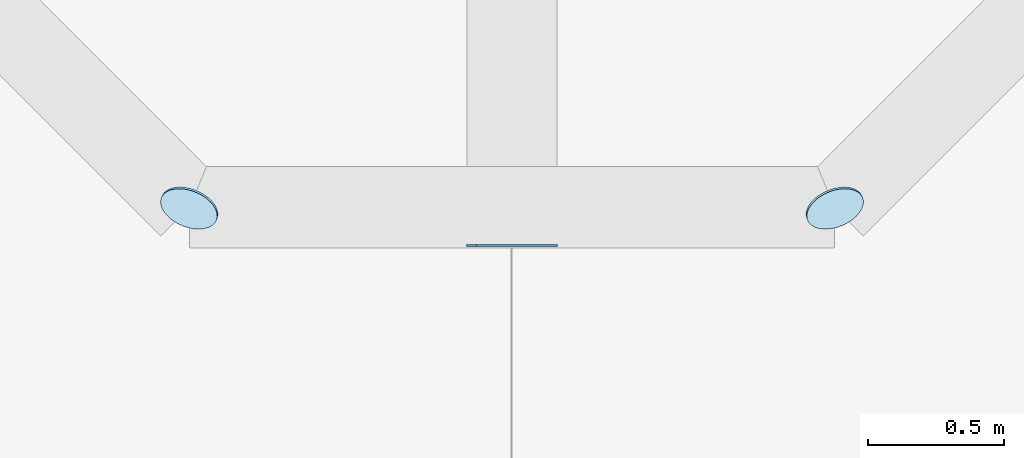
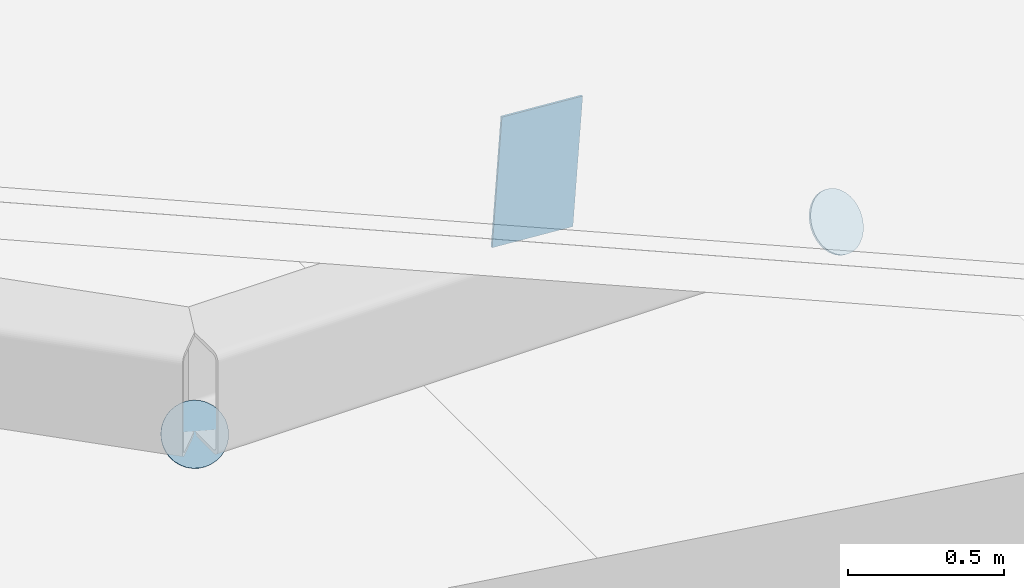
# One storey, part 57 of 95: 3 plates.
"""IFC4 building model written with IfcOpenShell, lengths in metres."""

from ifc_helpers import new_model, si_unit, direction, frame, origin, origin_2d, place, context, subcontext, project, spatial, rectangle, circle, extrude, material, material_profile, profile_set, type_object, element, save


model = new_model("IFC4")

# Units and contexts
model_context = context("Model", 3, precision=1e-05, world=origin(), true_north=direction((0.0, 1.0)))
body_context = subcontext(model_context, "Body", "Model", "MODEL_VIEW")
ifc_project = project(units=[si_unit("LENGTHUNIT", "METRE"), si_unit("AREAUNIT", "SQUARE_METRE"), si_unit("VOLUMEUNIT", "CUBIC_METRE"), si_unit("PLANEANGLEUNIT", "RADIAN"), si_unit("MASSUNIT", "GRAM", prefix="KILO")], contexts=[model_context])

# Site, building, storey
site_placement = place(None, origin())
site = spatial("IfcSite", under=ifc_project, at=site_placement, CompositionType="ELEMENT")
building_placement = place(site_placement, origin())
building = spatial("IfcBuilding", under=site, at=building_placement, Name="Magnolia Steps Interchange", CompositionType="ELEMENT")
storey_placement = place(building_placement, frame((0.0, 0.0, 4.800048828125)))
storey = spatial("IfcBuildingStorey", under=building, at=storey_placement, Name="L01", CompositionType="ELEMENT", Elevation=4.800048828125)

# Plates
ifc_material_1 = material(Name="Steel Q355B", Category="steel")
ifc_material_profile_1 = material_profile(ifc_material_1, circle(Radius=0.109619140625, at=origin_2d()), Name="End plate CHS219x10")
ifc_profile_set_1 = profile_set([ifc_material_profile_1], Name="Steel Q355B")
plate_type_1 = type_object("IfcPlateType", Name="End plate CHS219x10", PredefinedType="SHEET", material=ifc_profile_set_1)
for number, where, z_axis, x_axis, name in (
    (1, (181.61376953125, 39.535888671875, 0.7685546875), (-0.304377001973, -0.734831085934, 0.606117080946), (0.923879532456, -0.3826834325, 0.0), "End plate Tree rib"),
    (2, (183.986328125, 39.535888671875, 0.7685546875), (0.304377001973, -0.734831085934, 0.606117080946), (0.923879532456, 0.3826834325, 0.0), "End plate Tree rib"),
):
    element("IfcPlate", number, at=place(storey_placement, frame(where, z_axis=z_axis, x_axis=x_axis)), inside=storey, type_object=plate_type_1, Name=name, PredefinedType="SHEET", context=body_context, shape_type="SweptSolid", body=[
        extrude(circle(Radius=0.109619140625, at=origin_2d()), origin(), (0.0, 0.0, 1.0), 0.008056640625),
    ])
ifc_material_2 = material(Name="Steel Q355B", Category="steel")
ifc_material_profile_2 = material_profile(ifc_material_2, rectangle(XDim=0.300048828125, YDim=0.5, at=origin_2d()), Name="End plate RHS500x300x16")
ifc_profile_set_2 = profile_set([ifc_material_profile_2], Name="Steel Q355B")
plate_type_2 = type_object("IfcPlateType", Name="End plate RHS500x300x16", PredefinedType="SHEET", material=ifc_profile_set_2)
plate_placement = place(storey_placement, frame((182.800048828125, 39.39990234375, 1.4677734375), z_axis=(0.0, -1.0, 0.0), x_axis=(0.997352109794, 0.0, -0.072723923782)))
element("IfcPlate", 3, at=plate_placement, inside=storey, type_object=plate_type_2, Name="End plate Roof beam", PredefinedType="SHEET", context=body_context, shape_type="SweptSolid", body=[
    extrude(rectangle(XDim=0.300048828125, YDim=0.5, at=origin_2d()), origin(), (0.0, 0.0, 1.0), 0.008056640625),
])

save(model, "model.ifc")
